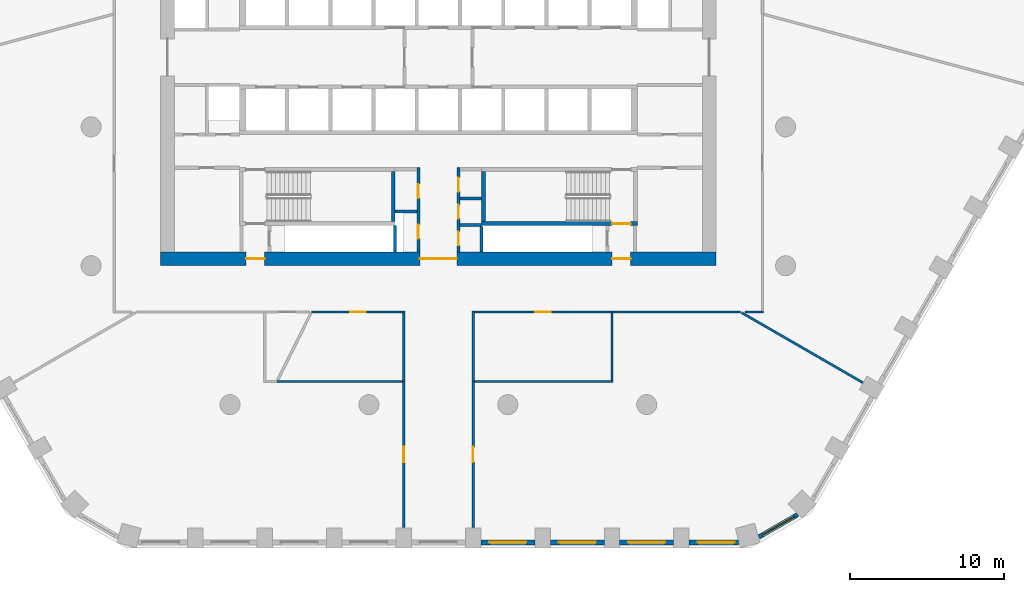
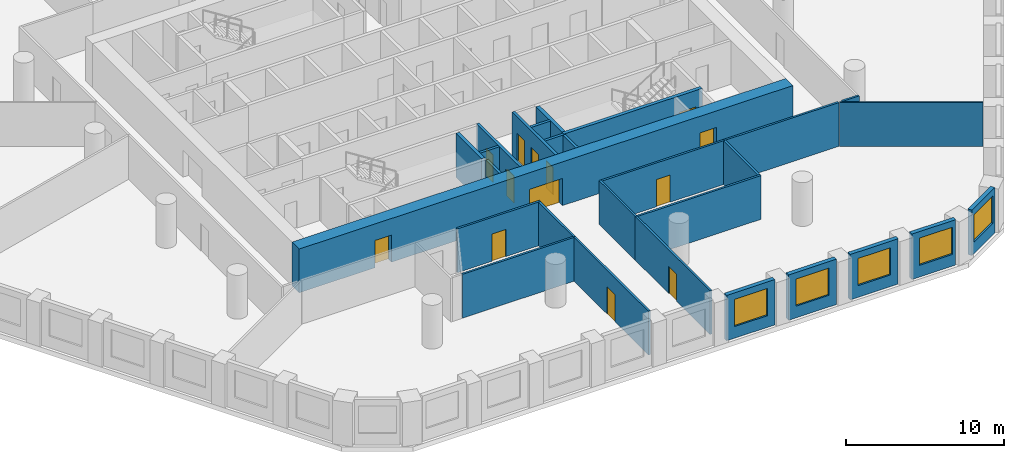
# One storey, part 3 of 9: 28 walls, 13 doors, 5 windows, 18 openings.
"""IFC4 building model written with IfcOpenShell, lengths in metres."""

import ifcopenshell
import ifcopenshell.guid

model = None  # the IFC model being written
_history = None  # IfcOwnerHistory: only IFC2X3 demands one
_inside = {}  # id of a spatial element -> (the spatial element, [elements in it])
_under = {}  # id of a project, library or spatial element -> (it, [spatial elements below it])
_declared = {}  # id of a project -> (the project, [libraries it declares])
_typed = {}  # id of a type object -> (the type object, [elements of that type])
_made_of = {}  # id of a material, layer set ... -> (it, [elements and type objects made of it])


def new_model(schema):
    """Start an empty IFC model of exactly this schema.

    Asked for "IFC4X3", IfcOpenShell would pick the latest addendum, in which some entities
    have other attributes; the version numbers below select the first issue.
    IFC2X3 requires an IfcOwnerHistory on every rooted entity: one is made here for all.
    """
    global model, _history
    if schema == "IFC4X3":
        model = ifcopenshell.file(schema_version=(4, 3, 0, 0))
    else:
        model = ifcopenshell.file(schema=schema)
    _inside.clear()
    _under.clear()
    _declared.clear()
    _typed.clear()
    _made_of.clear()
    _history = None
    if model.schema == "IFC2X3":
        org = make("IfcOrganization", Name="unknown")
        user = make(
            "IfcPersonAndOrganization",
            ThePerson=make("IfcPerson", FamilyName="unknown"),
            TheOrganization=org,
        )
        app = make(
            "IfcApplication",
            ApplicationDeveloper=org,
            Version="unknown",
            ApplicationFullName="unknown",
            ApplicationIdentifier="unknown",
        )
        _history = make(
            "IfcOwnerHistory",
            OwningUser=user,
            OwningApplication=app,
            ChangeAction="ADDED",
            CreationDate=0,
        )
    return model


def make(cls, **values):
    """One entity of the class cls with the attributes given. An attribute that is None is left unset."""
    return model.create_entity(
        cls, **{name: value for name, value in values.items() if value is not None}
    )


def rooted(cls, **values):
    """An entity with a GlobalId (a new one), such as an element, a storey or a relation."""
    return make(cls, GlobalId=ifcopenshell.guid.new(), OwnerHistory=_history, **values)


def si_unit(unit_type, name, prefix=None):
    """IfcSIUnit, for example si_unit("LENGTHUNIT", "METRE", prefix="MILLI")."""
    return make("IfcSIUnit", UnitType=unit_type, Prefix=prefix, Name=name)


def assignment(units):
    """IfcUnitAssignment: the units of a project."""
    return None if units is None else make("IfcUnitAssignment", Units=units)


def point(xyz):
    """IfcCartesianPoint."""
    return None if xyz is None else make("IfcCartesianPoint", Coordinates=xyz)


def direction(xyz):
    """IfcDirection."""
    return None if xyz is None else make("IfcDirection", DirectionRatios=xyz)


def frame(location, z_axis=None, x_axis=None):
    """IfcAxis2Placement3D, a coordinate frame: its origin and axes. An axis left out is left unset."""
    return make(
        "IfcAxis2Placement3D",
        Location=point(location),
        Axis=direction(z_axis),
        RefDirection=direction(x_axis),
    )


def frame_2d(location, x_axis=None):
    """IfcAxis2Placement2D, a coordinate frame in the plane: its origin and x axis."""
    return make(
        "IfcAxis2Placement2D", Location=point(location), RefDirection=direction(x_axis)
    )


def origin():
    """The frame at (0, 0, 0) with its axes left unset."""
    return frame((0.0, 0.0, 0.0))


def place(relative_to, where):
    """IfcLocalPlacement: puts the frame where relative to a parent placement (None: the world)."""
    return make(
        "IfcLocalPlacement", PlacementRelTo=relative_to, RelativePlacement=where
    )


def context(
    kind, dimensions, precision=None, world=None, true_north=None, identifier=None
):
    """IfcGeometricRepresentationContext, for example the 3D "Model" context."""
    return make(
        "IfcGeometricRepresentationContext",
        ContextIdentifier=identifier,
        ContextType=kind,
        CoordinateSpaceDimension=dimensions,
        Precision=precision,
        WorldCoordinateSystem=world,
        TrueNorth=true_north,
    )


def subcontext(parent, identifier, kind, view, scale=None):
    """IfcGeometricRepresentationSubContext, for example "Body" below "Model"."""
    return make(
        "IfcGeometricRepresentationSubContext",
        ContextIdentifier=identifier,
        ContextType=kind,
        ParentContext=parent,
        TargetScale=scale,
        TargetView=view,
    )


def project(units=None, contexts=None):
    """IfcProject with its units and contexts."""
    return rooted(
        "IfcProject",
        Name="project",
        RepresentationContexts=contexts,
        UnitsInContext=assignment(units),
    )


def spatial(cls, under=None, at=None, **own):
    """A site, building, storey or space (cls), placed at a placement, below another one or the project."""
    s = rooted(cls, ObjectPlacement=at, **own)
    if under is not None:
        _under.setdefault(under.id(), (under, []))[1].append(s)
    return s


def profile(cls, at=None, kind="AREA", **sizes):
    """A parametric profile (cls). Its sizes go by their IFC names, for example OverallWidth=200.0."""
    return make(cls, ProfileType=kind, Position=at, **sizes)


def rectangle(**sizes):
    """IfcRectangleProfileDef."""
    return profile("IfcRectangleProfileDef", **sizes)


def extrude(swept, where, along, depth):
    """IfcExtrudedAreaSolid: the profile swept, set in the frame where, extruded along a direction by depth."""
    return make(
        "IfcExtrudedAreaSolid",
        SweptArea=swept,
        Position=where,
        ExtrudedDirection=direction(along),
        Depth=depth,
    )


def shape(context_of_items, identifier, shape_type, items):
    """IfcShapeRepresentation: the items that make up one representation, for example the "Body"."""
    return make(
        "IfcShapeRepresentation",
        ContextOfItems=context_of_items,
        RepresentationIdentifier=identifier,
        RepresentationType=shape_type,
        Items=items,
    )


def material(Name=None, Category=None):
    """IfcMaterial."""
    return make("IfcMaterial", Name=Name, Category=Category)


def layer(
    of_material, thickness, ventilated=None, Name=None, Category=None, Priority=None
):
    """IfcMaterialLayer: one layer of a wall or slab, of a material (None: an air gap)."""
    return make(
        "IfcMaterialLayer",
        Material=of_material,
        LayerThickness=thickness,
        IsVentilated=ventilated,
        Name=Name,
        Category=Category,
        Priority=Priority,
    )


def layer_set(layers, Name=None):
    """IfcMaterialLayerSet."""
    return make("IfcMaterialLayerSet", MaterialLayers=layers, LayerSetName=Name)


def made_of(thing, what):
    """Note that an element or type object is made of a material, layer set ...; save() writes the relation."""
    if what is not None:
        _made_of.setdefault(what.id(), (what, []))[1].append(thing)
    return thing


def type_object(cls, material=None, **own):
    """A type object (cls), such as IfcWallType, which elements share."""
    return made_of(rooted(cls, **own), material)


def element(
    cls,
    number,
    at=None,
    inside=None,
    cuts=None,
    type_object=None,
    material=None,
    context=None,
    identifier="Body",
    shape_type=None,
    held_by="IfcProductDefinitionShape",
    body=None,
    shapes=None,
    **own,
):
    """One element of the class cls, such as IfcWall. Its Tag is "e" and its number.

    at: its placement. inside: the storey or other place that contains it. cuts: it is an
    opening in that element (IfcRelVoidsElement). A single representation is given by context,
    identifier, shape_type and body (its items); several are given by shapes. held_by: the class
    of the entity that holds the representations. save() writes the other relations.
    """
    e = rooted(cls, Tag="e%d" % number, ObjectPlacement=at, **own)
    if body is not None:
        shapes = [shape(context, identifier, shape_type, body)]
    if shapes is not None:
        e.Representation = make(held_by, Representations=shapes)
    if inside is not None:
        _inside.setdefault(inside.id(), (inside, []))[1].append(e)
    if cuts is not None:
        rooted(
            "IfcRelVoidsElement", RelatingBuildingElement=cuts, RelatedOpeningElement=e
        )
    if type_object is not None:
        _typed.setdefault(type_object.id(), (type_object, []))[1].append(e)
    return made_of(e, material)


def fill(opening, filler):
    """IfcRelFillsElement: the door or window that sits in an opening."""
    return rooted(
        "IfcRelFillsElement",
        RelatingOpeningElement=opening,
        RelatedBuildingElement=filler,
    )


def aggregate(whole, parts):
    """IfcRelAggregates: a whole, such as a stair, and the parts it consists of."""
    return rooted("IfcRelAggregates", RelatingObject=whole, RelatedObjects=parts)


def save(model, path):
    """Write the relations noted so far, then the file.

    IfcRelAggregates (storeys below a building ...), IfcRelContainedInSpatialStructure (elements
    in a storey), IfcRelDefinesByType, IfcRelAssociatesMaterial and IfcRelDeclares: one each for
    every whole, place, type object, material and project.
    """
    for whole, parts in _under.values():
        aggregate(whole, parts)
    for where, things in _inside.values():
        rooted(
            "IfcRelContainedInSpatialStructure",
            RelatedElements=things,
            RelatingStructure=where,
        )
    for kind, things in _typed.values():
        rooted("IfcRelDefinesByType", RelatedObjects=things, RelatingType=kind)
    for what, things in _made_of.values():
        rooted("IfcRelAssociatesMaterial", RelatedObjects=things, RelatingMaterial=what)
    for by, libraries in _declared.values():
        rooted("IfcRelDeclares", RelatingContext=by, RelatedDefinitions=libraries)
    model.write(path)


model = new_model("IFC4")

# Units and contexts
model_context = context("Model", 3, precision=1e-05, world=origin(), true_north=direction((0.0, 1.0)))
body_context = subcontext(model_context, "Body", "Model", "MODEL_VIEW")
ifc_project = project(units=[si_unit("LENGTHUNIT", "METRE"), si_unit("AREAUNIT", "SQUARE_METRE"), si_unit("VOLUMEUNIT", "CUBIC_METRE"), si_unit("PLANEANGLEUNIT", "RADIAN"), si_unit("MASSUNIT", "GRAM", prefix="KILO")], contexts=[model_context])

# Site, building, storey
site_placement = place(None, origin())
site = spatial("IfcSite", under=ifc_project, at=site_placement, CompositionType="ELEMENT")
building_placement = place(site_placement, origin())
building = spatial("IfcBuilding", under=site, at=building_placement, Name="Dhurran Vertical Campus", CompositionType="ELEMENT")
storey_placement = place(building_placement, frame((0.0, 0.0, 124.199951171875)))
storey = spatial("IfcBuildingStorey", under=building, at=storey_placement, Name="L30", CompositionType="ELEMENT", Elevation=124.199951171875)

# Wall, opening, window
ifc_material_1 = material(Name="Precast concrete C50/60", Category="concrete")
ifc_layer_1 = layer(ifc_material_1, 0.300048828125)
ifc_layer_set_1 = layer_set([ifc_layer_1], Name="Precast concrete C50/60")
wall_type_1 = type_object("IfcWallType", Name="Precast spandrel wall 300", PredefinedType="SOLIDWALL", material=ifc_layer_set_1)
wall_1_placement = place(storey_placement, frame((2.75048828125, -31.4296875, 0.0), z_axis=(0.0, 0.0, 1.0), x_axis=(1.0, 0.0, 0.0)))
wall_1 = element("IfcWall", 1, at=wall_1_placement, inside=storey, type_object=wall_type_1, Name="EW1 L30.05", PredefinedType="SOLIDWALL", context=body_context, shape_type="SweptSolid", body=[
    extrude(rectangle(XDim=3.4990234375, YDim=0.300048828125, at=frame_2d((1.74951171875, 0.0))), origin(), (0.0, 0.0, 1.0), 3.5),
])
opening_1_placement = place(wall_1_placement, frame((0.549560546875, 0.0, 0.89990234375)))
opening_1 = element("IfcOpeningElement", 2, at=opening_1_placement, cuts=wall_1, Name="Opening WT1", PredefinedType="OPENING", context=body_context, shape_type="SweptSolid", body=[
    extrude(rectangle(XDim=2.39990234375, YDim=2.10009765625, at=frame_2d((1.199951171875, 1.050048828125))), frame((0.0, 0.159912109375, 0.0), z_axis=(0.0, -1.0, 0.0), x_axis=(1.0, 0.0, 0.0)), (0.0, 0.0, 1.0), 0.320068359375),
])
ifc_material_2 = material(Name="Aluminium frame with solar-control glass", Category="aluminium")
window_type = type_object("IfcWindowType", Name="Punched window 2400 x 2100", PartitioningType="SINGLE_PANEL", PredefinedType="WINDOW", material=ifc_material_2)
window_1_placement = place(opening_1_placement, origin())
window_1 = element("IfcWindow", 3, at=window_1_placement, inside=storey, type_object=window_type, Name="WT1 L30.05", OverallHeight=2.10009765625, OverallWidth=2.39990234375, PartitioningType="SINGLE_PANEL", PredefinedType="WINDOW", context=body_context, shape_type="SweptSolid", body=[
    extrude(rectangle(XDim=2.39990234375, YDim=2.10009765625, at=frame_2d((1.199951171875, 1.050048828125))), frame((0.0, 0.030029296875, 0.0), z_axis=(0.0, -1.0, 0.0), x_axis=(1.0, 0.0, 0.0)), (0.0, 0.0, 1.0), 0.06005859375),
])
fill(opening_1, window_1)

wall_2_placement = place(storey_placement, frame((7.25048828125, -31.4296875, 0.0), z_axis=(0.0, 0.0, 1.0), x_axis=(1.0, 0.0, 0.0)))
wall_2 = element("IfcWall", 4, at=wall_2_placement, inside=storey, type_object=wall_type_1, Name="EW1 L30.06", PredefinedType="SOLIDWALL", context=body_context, shape_type="SweptSolid", body=[
    extrude(rectangle(XDim=3.4990234375, YDim=0.300048828125, at=frame_2d((1.74951171875, 0.0))), origin(), (0.0, 0.0, 1.0), 3.5),
])
opening_2_placement = place(wall_2_placement, frame((0.549560546875, 0.0, 0.89990234375)))
opening_2 = element("IfcOpeningElement", 5, at=opening_2_placement, cuts=wall_2, Name="Opening WT1", PredefinedType="OPENING", context=body_context, shape_type="SweptSolid", body=[
    extrude(rectangle(XDim=2.39990234375, YDim=2.10009765625, at=frame_2d((1.199951171875, 1.050048828125))), frame((0.0, 0.159912109375, 0.0), z_axis=(0.0, -1.0, 0.0), x_axis=(1.0, 0.0, 0.0)), (0.0, 0.0, 1.0), 0.320068359375),
])
window_2_placement = place(opening_2_placement, origin())
window_2 = element("IfcWindow", 6, at=window_2_placement, inside=storey, type_object=window_type, Name="WT1 L30.06", OverallHeight=2.10009765625, OverallWidth=2.39990234375, PartitioningType="SINGLE_PANEL", PredefinedType="WINDOW", context=body_context, shape_type="SweptSolid", body=[
    extrude(rectangle(XDim=2.39990234375, YDim=2.10009765625, at=frame_2d((1.199951171875, 1.050048828125))), frame((0.0, 0.030029296875, 0.0), z_axis=(0.0, -1.0, 0.0), x_axis=(1.0, 0.0, 0.0)), (0.0, 0.0, 1.0), 0.06005859375),
])
fill(opening_2, window_2)

wall_3_placement = place(storey_placement, frame((11.75048828125, -31.4296875, 0.0), z_axis=(0.0, 0.0, 1.0), x_axis=(1.0, 0.0, 0.0)))
wall_3 = element("IfcWall", 7, at=wall_3_placement, inside=storey, type_object=wall_type_1, Name="EW1 L30.07", PredefinedType="SOLIDWALL", context=body_context, shape_type="SweptSolid", body=[
    extrude(rectangle(XDim=3.4990234375, YDim=0.300048828125, at=frame_2d((1.74951171875, 0.0))), origin(), (0.0, 0.0, 1.0), 3.5),
])
opening_3_placement = place(wall_3_placement, frame((0.549560546875, 0.0, 0.89990234375)))
opening_3 = element("IfcOpeningElement", 8, at=opening_3_placement, cuts=wall_3, Name="Opening WT1", PredefinedType="OPENING", context=body_context, shape_type="SweptSolid", body=[
    extrude(rectangle(XDim=2.39990234375, YDim=2.10009765625, at=frame_2d((1.199951171875, 1.050048828125))), frame((0.0, 0.159912109375, 0.0), z_axis=(0.0, -1.0, 0.0), x_axis=(1.0, 0.0, 0.0)), (0.0, 0.0, 1.0), 0.320068359375),
])
window_3_placement = place(opening_3_placement, origin())
window_3 = element("IfcWindow", 9, at=window_3_placement, inside=storey, type_object=window_type, Name="WT1 L30.07", OverallHeight=2.10009765625, OverallWidth=2.39990234375, PartitioningType="SINGLE_PANEL", PredefinedType="WINDOW", context=body_context, shape_type="SweptSolid", body=[
    extrude(rectangle(XDim=2.39990234375, YDim=2.10009765625, at=frame_2d((1.199951171875, 1.050048828125))), frame((0.0, 0.030029296875, 0.0), z_axis=(0.0, -1.0, 0.0), x_axis=(1.0, 0.0, 0.0)), (0.0, 0.0, 1.0), 0.06005859375),
])
fill(opening_3, window_3)

wall_4_placement = place(storey_placement, frame((16.25048828125, -31.4296875, 0.0), z_axis=(0.0, 0.0, 1.0), x_axis=(1.0, 0.0, 0.0)))
wall_4 = element("IfcWall", 10, at=wall_4_placement, inside=storey, type_object=wall_type_1, Name="EW1 L30.08", PredefinedType="SOLIDWALL", context=body_context, shape_type="SweptSolid", body=[
    extrude(rectangle(XDim=3.1923828125, YDim=0.300048828125, at=frame_2d((1.59619140625, 0.0))), origin(), (0.0, 0.0, 1.0), 3.5),
])
opening_4_placement = place(wall_4_placement, frame((0.549560546875, 0.0, 0.89990234375)))
opening_4 = element("IfcOpeningElement", 11, at=opening_4_placement, cuts=wall_4, Name="Opening WT1", PredefinedType="OPENING", context=body_context, shape_type="SweptSolid", body=[
    extrude(rectangle(XDim=2.39990234375, YDim=2.10009765625, at=frame_2d((1.199951171875, 1.050048828125))), frame((0.0, 0.159912109375, 0.0), z_axis=(0.0, -1.0, 0.0), x_axis=(1.0, 0.0, 0.0)), (0.0, 0.0, 1.0), 0.320068359375),
])
window_4_placement = place(opening_4_placement, origin())
window_4 = element("IfcWindow", 12, at=window_4_placement, inside=storey, type_object=window_type, Name="WT1 L30.08", OverallHeight=2.10009765625, OverallWidth=2.39990234375, PartitioningType="SINGLE_PANEL", PredefinedType="WINDOW", context=body_context, shape_type="SweptSolid", body=[
    extrude(rectangle(XDim=2.39990234375, YDim=2.10009765625, at=frame_2d((1.199951171875, 1.050048828125))), frame((0.0, 0.030029296875, 0.0), z_axis=(0.0, -1.0, 0.0), x_axis=(1.0, 0.0, 0.0)), (0.0, 0.0, 1.0), 0.06005859375),
])
fill(opening_4, window_4)

wall_5_placement = place(storey_placement, frame((20.774169921875, -31.072998046875, 0.0), z_axis=(0.0, 0.0, 1.0), x_axis=(0.866053149362, 0.49995194017, 0.0)))
wall_5 = element("IfcWall", 13, at=wall_5_placement, inside=storey, type_object=wall_type_1, Name="EW1 L30.09", PredefinedType="SOLIDWALL", context=body_context, shape_type="SweptSolid", body=[
    extrude(rectangle(XDim=2.885498046875, YDim=0.300048828125, at=frame_2d((1.44287109375, 0.0))), origin(), (0.0, 0.0, 1.0), 3.5),
])
opening_5_placement = place(wall_5_placement, frame((0.242919921875, 0.0, 0.89990234375)))
opening_5 = element("IfcOpeningElement", 14, at=opening_5_placement, cuts=wall_5, Name="Opening WT1", PredefinedType="OPENING", context=body_context, shape_type="SweptSolid", body=[
    extrude(rectangle(XDim=2.39990234375, YDim=2.10009765625, at=frame_2d((1.199951171875, 1.050048828125))), frame((0.0, 0.159912109375, 0.0), z_axis=(0.0, -1.0, 0.0), x_axis=(1.0, 0.0, 0.0)), (0.0, 0.0, 1.0), 0.320068359375),
])
window_5_placement = place(opening_5_placement, origin())
window_5 = element("IfcWindow", 15, at=window_5_placement, inside=storey, type_object=window_type, Name="WT1 L30.09", OverallHeight=2.10009765625, OverallWidth=2.39990234375, PartitioningType="SINGLE_PANEL", PredefinedType="WINDOW", context=body_context, shape_type="SweptSolid", body=[
    extrude(rectangle(XDim=2.39990234375, YDim=2.10009765625, at=frame_2d((1.199951171875, 1.050048828125))), frame((0.0, 0.030029296875, 0.0), z_axis=(0.0, -1.0, 0.0), x_axis=(1.0, 0.0, 0.0)), (0.0, 0.0, 1.0), 0.06005859375),
])
fill(opening_5, window_5)

# Wall, openings, doors
ifc_material_3 = material(Name="Concrete C60/75", Category="concrete")
ifc_layer_2 = layer(ifc_material_3, 0.89990234375)
ifc_layer_set_2 = layer_set([ifc_layer_2], Name="Concrete C60/75")
wall_type_2 = type_object("IfcWallType", Name="co-CORE-WALL-C0-900", PredefinedType="SHEAR", material=ifc_layer_set_2)
wall_6_placement = place(storey_placement, frame((-18.0, -13.050048828125, 0.0), z_axis=(0.0, 0.0, 1.0), x_axis=(1.0, 0.0, 0.0)))
wall_6 = element("IfcWall", 16, at=wall_6_placement, inside=storey, type_object=wall_type_2, Name="Core wall S L30", PredefinedType="SHEAR", context=body_context, shape_type="SweptSolid", body=[
    extrude(rectangle(XDim=36.0, YDim=0.89990234375, at=frame_2d((18.0, 0.0))), origin(), (0.0, 0.0, 1.0), 3.375),
])
opening_6_placement = place(wall_6_placement, frame((16.800048828125, 0.0, 0.0)))
opening_6 = element("IfcOpeningElement", 17, at=opening_6_placement, cuts=wall_6, Name="Opening CV2", PredefinedType="OPENING", context=body_context, shape_type="SweptSolid", body=[
    extrude(rectangle(XDim=2.39990234375, YDim=2.10009765625, at=frame_2d((1.199951171875, 1.050048828125))), frame((0.0, 0.4599609375, 0.0), z_axis=(0.0, -1.0, 0.0), x_axis=(1.0, 0.0, 0.0)), (0.0, 0.0, 1.0), 0.919921875),
])
opening_7_placement = place(wall_6_placement, frame((5.550048828125, 0.0, 0.0)))
opening_7 = element("IfcOpeningElement", 18, at=opening_7_placement, cuts=wall_6, Name="Opening XD3", PredefinedType="OPENING", context=body_context, shape_type="SweptSolid", body=[
    extrude(rectangle(XDim=1.199951171875, YDim=2.10009765625, at=frame_2d((0.60009765625, 1.050048828125))), frame((0.0, 0.4599609375, 0.0), z_axis=(0.0, -1.0, 0.0), x_axis=(1.0, 0.0, 0.0)), (0.0, 0.0, 1.0), 0.919921875),
])
opening_8_placement = place(wall_6_placement, frame((29.25, 0.0, 0.0)))
opening_8 = element("IfcOpeningElement", 19, at=opening_8_placement, cuts=wall_6, Name="Opening XD4", PredefinedType="OPENING", context=body_context, shape_type="SweptSolid", body=[
    extrude(rectangle(XDim=1.199951171875, YDim=2.10009765625, at=frame_2d((0.60009765625, 1.050048828125))), frame((0.0, 0.4599609375, 0.0), z_axis=(0.0, -1.0, 0.0), x_axis=(1.0, 0.0, 0.0)), (0.0, 0.0, 1.0), 0.919921875),
])
ifc_material_4 = material(Name="Fire-rated glazed door set")
door_type_1 = type_object("IfcDoorType", Name="co-D-LOBBY 2400x2100", OperationType="DOUBLE_DOOR_DOUBLE_SWING", PredefinedType="DOOR", material=ifc_material_4)
door_1_placement = place(opening_6_placement, origin())
door_1 = element("IfcDoor", 20, at=door_1_placement, inside=storey, type_object=door_type_1, Name="Core vestibule door S L30", OperationType="DOUBLE_DOOR_DOUBLE_SWING", OverallHeight=2.10009765625, OverallWidth=2.39990234375, PredefinedType="DOOR", context=body_context, shape_type="SweptSolid", body=[
    extrude(rectangle(XDim=2.39990234375, YDim=2.10009765625, at=frame_2d((1.199951171875, 1.050048828125))), frame((0.0, 0.02490234375, 0.0), z_axis=(0.0, -1.0, 0.0), x_axis=(1.0, 0.0, 0.0)), (0.0, 0.0, 1.0), 0.050048828125),
])
fill(opening_6, door_1)
ifc_material_5 = material(Name="Fire-rated steel door set", Category="steel")
door_type_2 = type_object("IfcDoorType", Name="co-D-STAIR-EXIT 1200x2100", OperationType="SINGLE_SWING_RIGHT", PredefinedType="DOOR", material=ifc_material_5)
door_2_placement = place(opening_7_placement, origin())
door_2 = element("IfcDoor", 21, at=door_2_placement, inside=storey, type_object=door_type_2, Name="Stair ST3 exit door L30", OperationType="SINGLE_SWING_RIGHT", OverallHeight=2.10009765625, OverallWidth=1.199951171875, PredefinedType="DOOR", context=body_context, shape_type="SweptSolid", body=[
    extrude(rectangle(XDim=1.199951171875, YDim=2.10009765625, at=frame_2d((0.60009765625, 1.050048828125))), frame((0.0, 0.02490234375, 0.0), z_axis=(0.0, -1.0, 0.0), x_axis=(1.0, 0.0, 0.0)), (0.0, 0.0, 1.0), 0.050048828125),
])
fill(opening_7, door_2)
door_3_placement = place(opening_8_placement, origin())
door_3 = element("IfcDoor", 22, at=door_3_placement, inside=storey, type_object=door_type_2, Name="Stair ST4 exit door L30", OperationType="SINGLE_SWING_RIGHT", OverallHeight=2.10009765625, OverallWidth=1.199951171875, PredefinedType="DOOR", context=body_context, shape_type="SweptSolid", body=[
    extrude(rectangle(XDim=1.199951171875, YDim=2.10009765625, at=frame_2d((0.60009765625, 1.050048828125))), frame((0.0, 0.02490234375, 0.0), z_axis=(0.0, -1.0, 0.0), x_axis=(1.0, 0.0, 0.0)), (0.0, 0.0, 1.0), 0.050048828125),
])
fill(opening_8, door_3)

# Walls
ifc_material_6 = material(Name="Fire-rated masonry blockwork", Category="masonry")
ifc_layer_3 = layer(ifc_material_6, 0.199951171875)
ifc_layer_set_3 = layer_set([ifc_layer_3], Name="Fire-rated masonry blockwork")
wall_type_3 = type_object("IfcWallType", Name="co-FIRE-PARTITION-200", PredefinedType="PARTITIONING", material=ifc_layer_set_3)
for number, where, z_axis, x_axis, name in (
    (23, (-2.800048828125, -9.97509765625, 0.0), (0.0, 0.0, 1.0), (1.0, 0.0, 0.0), "Core partition sl-SW-cut0 L30"),
    (24, (1.39990234375, -9.135009765625, 0.0), (0.0, 0.0, 1.0), (1.0, 0.0, 0.0), "Core partition sl-SE-cut0 L30"),
    (25, (1.39990234375, -10.867431640625, 0.0), (0.0, 0.0, 1.0), (1.0, 0.0, 0.0), "Core partition sl-SE-cut1 L30"),
):
    element("IfcWall", number, at=place(storey_placement, frame(where, z_axis=z_axis, x_axis=x_axis)), inside=storey, type_object=wall_type_3, Name=name, PredefinedType="PARTITIONING", context=body_context, shape_type="SweptSolid", body=[
        extrude(rectangle(XDim=1.400146484375, YDim=0.199951171875, at=frame_2d((0.7001953125, 0.0))), origin(), (0.0, 0.0, 1.0), 3.375),
    ])

# Wall, openings, doors
wall_7_placement = place(storey_placement, frame((-1.300048828125, -12.60009765625, 0.0), z_axis=(0.0, 0.0, 1.0), x_axis=(0.0, 1.0, 0.0)))
wall_7 = element("IfcWall", 26, at=wall_7_placement, inside=storey, type_object=wall_type_3, Name="Core partition vest-SW L30", PredefinedType="PARTITIONING", context=body_context, shape_type="SweptSolid", body=[
    extrude(rectangle(XDim=5.4501953125, YDim=0.199951171875, at=frame_2d((2.72509765625, 0.0))), origin(), (0.0, 0.0, 1.0), 3.375),
])
opening_9_placement = place(wall_7_placement, frame((0.862548828125, 0.0, 0.0)))
opening_9 = element("IfcOpeningElement", 27, at=opening_9_placement, cuts=wall_7, Name="Opening T08-C1", PredefinedType="OPENING", context=body_context, shape_type="SweptSolid", body=[
    extrude(rectangle(XDim=0.89990234375, YDim=2.10009765625, at=frame_2d((0.449951171875, 1.050048828125))), frame((0.0, 0.10986328125, 0.0), z_axis=(0.0, -1.0, 0.0), x_axis=(1.0, 0.0, 0.0)), (0.0, 0.0, 1.0), 0.219970703125),
])
opening_10_placement = place(wall_7_placement, frame((3.487548828125, 0.0, 0.0)))
opening_10 = element("IfcOpeningElement", 28, at=opening_10_placement, cuts=wall_7, Name="Opening T08-C2", PredefinedType="OPENING", context=body_context, shape_type="SweptSolid", body=[
    extrude(rectangle(XDim=0.89990234375, YDim=2.10009765625, at=frame_2d((0.449951171875, 1.050048828125))), frame((0.0, 0.10986328125, 0.0), z_axis=(0.0, -1.0, 0.0), x_axis=(1.0, 0.0, 0.0)), (0.0, 0.0, 1.0), 0.219970703125),
])
ifc_material_7 = material(Name="Fire-rated timber door set", Category="wood")
door_type_3 = type_object("IfcDoorType", Name="co-D-ROOM 900x2100", OperationType="SINGLE_SWING_LEFT", PredefinedType="DOOR", material=ifc_material_7)
door_4_placement = place(opening_9_placement, origin())
door_4 = element("IfcDoor", 29, at=door_4_placement, inside=storey, type_object=door_type_3, Name="Electrical riser door L30", OperationType="SINGLE_SWING_LEFT", OverallHeight=2.10009765625, OverallWidth=0.89990234375, PredefinedType="DOOR", context=body_context, shape_type="SweptSolid", body=[
    extrude(rectangle(XDim=0.89990234375, YDim=2.10009765625, at=frame_2d((0.449951171875, 1.050048828125))), frame((0.0, 0.02490234375, 0.0), z_axis=(0.0, -1.0, 0.0), x_axis=(1.0, 0.0, 0.0)), (0.0, 0.0, 1.0), 0.050048828125),
])
fill(opening_9, door_4)
door_5_placement = place(opening_10_placement, origin())
door_5 = element("IfcDoor", 30, at=door_5_placement, inside=storey, type_object=door_type_3, Name="Cleaner's store door L30", OperationType="SINGLE_SWING_LEFT", OverallHeight=2.10009765625, OverallWidth=0.89990234375, PredefinedType="DOOR", context=body_context, shape_type="SweptSolid", body=[
    extrude(rectangle(XDim=0.89990234375, YDim=2.10009765625, at=frame_2d((0.449951171875, 1.050048828125))), frame((0.0, 0.02490234375, 0.0), z_axis=(0.0, -1.0, 0.0), x_axis=(1.0, 0.0, 0.0)), (0.0, 0.0, 1.0), 0.050048828125),
])
fill(opening_10, door_5)

wall_8_placement = place(storey_placement, frame((1.300048828125, -12.60009765625, 0.0), z_axis=(0.0, 0.0, 1.0), x_axis=(0.0, 1.0, 0.0)))
wall_8 = element("IfcWall", 31, at=wall_8_placement, inside=storey, type_object=wall_type_3, Name="Core partition vest-SE L30", PredefinedType="PARTITIONING", context=body_context, shape_type="SweptSolid", body=[
    extrude(rectangle(XDim=5.4501953125, YDim=0.199951171875, at=frame_2d((2.72509765625, 0.0))), origin(), (0.0, 0.0, 1.0), 3.375),
])
opening_11_placement = place(wall_8_placement, frame((0.416259765625, 0.0, 0.0)))
opening_11 = element("IfcOpeningElement", 32, at=opening_11_placement, cuts=wall_8, Name="Opening T08-C3", PredefinedType="OPENING", context=body_context, shape_type="SweptSolid", body=[
    extrude(rectangle(XDim=0.89990234375, YDim=2.10009765625, at=frame_2d((0.449951171875, 1.050048828125))), frame((0.0, 0.10986328125, 0.0), z_axis=(0.0, -1.0, 0.0), x_axis=(1.0, 0.0, 0.0)), (0.0, 0.0, 1.0), 0.219970703125),
])
opening_12_placement = place(wall_8_placement, frame((2.148681640625, 0.0, 0.0)))
opening_12 = element("IfcOpeningElement", 33, at=opening_12_placement, cuts=wall_8, Name="Opening T08-C4", PredefinedType="OPENING", context=body_context, shape_type="SweptSolid", body=[
    extrude(rectangle(XDim=0.89990234375, YDim=2.10009765625, at=frame_2d((0.449951171875, 1.050048828125))), frame((0.0, 0.10986328125, 0.0), z_axis=(0.0, -1.0, 0.0), x_axis=(1.0, 0.0, 0.0)), (0.0, 0.0, 1.0), 0.219970703125),
])
opening_13_placement = place(wall_8_placement, frame((3.907470703125, 0.0, 0.0)))
opening_13 = element("IfcOpeningElement", 34, at=opening_13_placement, cuts=wall_8, Name="Opening T08-C5", PredefinedType="OPENING", context=body_context, shape_type="SweptSolid", body=[
    extrude(rectangle(XDim=0.89990234375, YDim=2.10009765625, at=frame_2d((0.449951171875, 1.050048828125))), frame((0.0, 0.10986328125, 0.0), z_axis=(0.0, -1.0, 0.0), x_axis=(1.0, 0.0, 0.0)), (0.0, 0.0, 1.0), 0.219970703125),
])
door_6_placement = place(opening_11_placement, origin())
door_6 = element("IfcDoor", 35, at=door_6_placement, inside=storey, type_object=door_type_3, Name="Plant room door L30", OperationType="SINGLE_SWING_LEFT", OverallHeight=2.10009765625, OverallWidth=0.89990234375, PredefinedType="DOOR", context=body_context, shape_type="SweptSolid", body=[
    extrude(rectangle(XDim=0.89990234375, YDim=2.10009765625, at=frame_2d((0.449951171875, 1.050048828125))), frame((0.0, 0.02490234375, 0.0), z_axis=(0.0, -1.0, 0.0), x_axis=(1.0, 0.0, 0.0)), (0.0, 0.0, 1.0), 0.050048828125),
])
fill(opening_11, door_6)
door_7_placement = place(opening_12_placement, origin())
door_7 = element("IfcDoor", 36, at=door_7_placement, inside=storey, type_object=door_type_3, Name="Waste room door L30", OperationType="SINGLE_SWING_LEFT", OverallHeight=2.10009765625, OverallWidth=0.89990234375, PredefinedType="DOOR", context=body_context, shape_type="SweptSolid", body=[
    extrude(rectangle(XDim=0.89990234375, YDim=2.10009765625, at=frame_2d((0.449951171875, 1.050048828125))), frame((0.0, 0.02490234375, 0.0), z_axis=(0.0, -1.0, 0.0), x_axis=(1.0, 0.0, 0.0)), (0.0, 0.0, 1.0), 0.050048828125),
])
fill(opening_12, door_7)
door_8_placement = place(opening_13_placement, origin())
door_8 = element("IfcDoor", 37, at=door_8_placement, inside=storey, type_object=door_type_3, Name="Store door L30", OperationType="SINGLE_SWING_LEFT", OverallHeight=2.10009765625, OverallWidth=0.89990234375, PredefinedType="DOOR", context=body_context, shape_type="SweptSolid", body=[
    extrude(rectangle(XDim=0.89990234375, YDim=2.10009765625, at=frame_2d((0.449951171875, 1.050048828125))), frame((0.0, 0.02490234375, 0.0), z_axis=(0.0, -1.0, 0.0), x_axis=(1.0, 0.0, 0.0)), (0.0, 0.0, 1.0), 0.050048828125),
])
fill(opening_13, door_8)

# Walls
wall_9_placement = place(storey_placement, frame((-2.800048828125, -12.59912109375, 0.0), z_axis=(0.0, 0.0, 1.0), x_axis=(0.0, 1.0, 0.0)))
element("IfcWall", 38, at=wall_9_placement, inside=storey, type_object=wall_type_3, Name="Riser enclosure wall L30", PredefinedType="PARTITIONING", context=body_context, shape_type="SweptSolid", body=[
    extrude(rectangle(XDim=1.6982421875, YDim=0.199951171875, at=frame_2d((0.84912109375, 0.0))), origin(), (0.0, 0.0, 1.0), 3.375),
])
wall_10_placement = place(storey_placement, frame((2.800048828125, -10.968505859375, 0.0), z_axis=(0.0, 0.0, 1.0), x_axis=(0.0, -1.0, 0.0)))
element("IfcWall", 39, at=wall_10_placement, inside=storey, type_object=wall_type_3, Name="Riser enclosure wall L30", PredefinedType="PARTITIONING", context=body_context, shape_type="SweptSolid", body=[
    extrude(rectangle(XDim=1.630615234375, YDim=0.199951171875, at=frame_2d((0.8154296875, 0.0))), origin(), (0.0, 0.0, 1.0), 3.375),
])
ifc_material_8 = material(Name="Concrete C40/50", Category="concrete")
ifc_layer_4 = layer(ifc_material_8, 0.25)
ifc_layer_set_4 = layer_set([ifc_layer_4], Name="Concrete C40/50")
wall_type_4 = type_object("IfcWallType", Name="co-STAIR-WALL-250", PredefinedType="SHEAR", material=ifc_layer_set_4)
wall_11_placement = place(storey_placement, frame((-2.925048828125, -10.64990234375, 0.0), z_axis=(0.0, 0.0, 1.0), x_axis=(0.0, 1.0, 0.0)))
element("IfcWall", 40, at=wall_11_placement, inside=storey, type_object=wall_type_4, Name="Stair ST3 enclosure wall L30", PredefinedType="SHEAR", context=body_context, shape_type="SweptSolid", body=[
    extrude(rectangle(XDim=3.25, YDim=0.25, at=frame_2d((1.625, 0.0))), origin(), (0.0, 0.0, 1.0), 3.375),
])

# Wall, opening, door
wall_12_placement = place(storey_placement, frame((2.800048828125, -10.77490234375, 0.0), z_axis=(0.0, 0.0, 1.0), x_axis=(1.0, 0.0, 0.0)))
wall_12 = element("IfcWall", 41, at=wall_12_placement, inside=storey, type_object=wall_type_4, Name="Stair ST4 enclosure wall L30", PredefinedType="SHEAR", context=body_context, shape_type="SweptSolid", body=[
    extrude(rectangle(XDim=10.099853515625, YDim=0.25, at=frame_2d((5.0498046875, 0.0))), origin(), (0.0, 0.0, 1.0), 3.375),
])
opening_14_placement = place(wall_12_placement, frame((8.449951171875, 0.0, 0.0)))
opening_14 = element("IfcOpeningElement", 42, at=opening_14_placement, cuts=wall_12, Name="Opening XS4", PredefinedType="OPENING", context=body_context, shape_type="SweptSolid", body=[
    extrude(rectangle(XDim=1.199951171875, YDim=2.10009765625, at=frame_2d((0.60009765625, 1.050048828125))), frame((0.0, 0.135009765625, 0.0), z_axis=(0.0, -1.0, 0.0), x_axis=(1.0, 0.0, 0.0)), (0.0, 0.0, 1.0), 0.27001953125),
])
door_9_placement = place(opening_14_placement, origin())
door_9 = element("IfcDoor", 43, at=door_9_placement, inside=storey, type_object=door_type_2, Name="Stair ST4 discharge door L30", OperationType="SINGLE_SWING_RIGHT", OverallHeight=2.10009765625, OverallWidth=1.199951171875, PredefinedType="DOOR", context=body_context, shape_type="SweptSolid", body=[
    extrude(rectangle(XDim=1.199951171875, YDim=2.10009765625, at=frame_2d((0.60009765625, 1.050048828125))), frame((0.0, 0.02490234375, 0.0), z_axis=(0.0, -1.0, 0.0), x_axis=(1.0, 0.0, 0.0)), (0.0, 0.0, 1.0), 0.050048828125),
])
fill(opening_14, door_9)

# Wall
wall_13_placement = place(storey_placement, frame((2.925048828125, -10.64990234375, 0.0), z_axis=(0.0, 0.0, 1.0), x_axis=(0.0, 1.0, 0.0)))
element("IfcWall", 44, at=wall_13_placement, inside=storey, type_object=wall_type_4, Name="Stair ST4 enclosure wall L30", PredefinedType="SHEAR", context=body_context, shape_type="SweptSolid", body=[
    extrude(rectangle(XDim=3.25, YDim=0.25, at=frame_2d((1.625, 0.0))), origin(), (0.0, 0.0, 1.0), 3.375),
])

# Wall, opening, door
ifc_material_9 = material(Name="Gypsum board corridor wall on steel studs", Category="steel")
ifc_layer_5 = layer(ifc_material_9, 0.14990234375)
ifc_layer_set_5 = layer_set([ifc_layer_5], Name="Gypsum board corridor wall on steel studs")
wall_type_5 = type_object("IfcWallType", Name="fl-CW-150 corridor wall", PredefinedType="PARTITIONING", material=ifc_layer_set_5)
wall_14_placement = place(storey_placement, frame((-8.218017578125, -16.5, 0.0), z_axis=(0.0, 0.0, 1.0), x_axis=(1.0, 0.0, 0.0)))
wall_14 = element("IfcWall", 45, at=wall_14_placement, inside=storey, type_object=wall_type_5, Name="Partition 30-17", PredefinedType="PARTITIONING", context=body_context, shape_type="SweptSolid", body=[
    extrude(rectangle(XDim=6.04296875, YDim=0.14990234375, at=frame_2d((3.021484375, 0.0))), origin(), (0.0, 0.0, 1.0), 3.375),
])
opening_15_placement = place(wall_14_placement, frame((2.521484375, 0.0, 0.0)))
opening_15 = element("IfcOpeningElement", 46, at=opening_15_placement, cuts=wall_14, Name="Opening T08.07", PredefinedType="OPENING", context=body_context, shape_type="SweptSolid", body=[
    extrude(rectangle(XDim=1.0, YDim=2.10009765625, at=frame_2d((0.5, 1.050048828125))), frame((0.0, 0.0849609375, 0.0), z_axis=(0.0, -1.0, 0.0), x_axis=(1.0, 0.0, 0.0)), (0.0, 0.0, 1.0), 0.169921875),
])
ifc_material_10 = material(Name="Solid-core timber door set, fire-rated", Category="wood")
door_type_4 = type_object("IfcDoorType", Name="fl-D-1000x2100", OperationType="SINGLE_SWING_LEFT", PredefinedType="DOOR", material=ifc_material_10)
door_10_placement = place(opening_15_placement, origin())
door_10 = element("IfcDoor", 47, at=door_10_placement, inside=storey, type_object=door_type_4, Name="Door 30.07", OperationType="SINGLE_SWING_RIGHT", OverallHeight=2.10009765625, OverallWidth=1.0, PredefinedType="DOOR", context=body_context, shape_type="SweptSolid", body=[
    extrude(rectangle(XDim=1.0, YDim=2.10009765625, at=frame_2d((0.5, 1.050048828125))), frame((0.0, 0.02490234375, 0.0), z_axis=(0.0, -1.0, 0.0), x_axis=(1.0, 0.0, 0.0)), (0.0, 0.0, 1.0), 0.050048828125),
])
fill(opening_15, door_10)

wall_15_placement = place(storey_placement, frame((-2.25, -30.459716796875, 0.0), z_axis=(0.0, 0.0, 1.0), x_axis=(0.0, 1.0, 0.0)))
wall_15 = element("IfcWall", 48, at=wall_15_placement, inside=storey, type_object=wall_type_5, Name="Partition 30-18", PredefinedType="PARTITIONING", context=body_context, shape_type="SweptSolid", body=[
    extrude(rectangle(XDim=9.459716796875, YDim=0.14990234375, at=frame_2d((4.72998046875, 0.0))), origin(), (0.0, 0.0, 1.0), 3.375),
])
opening_16_placement = place(wall_15_placement, frame((4.22998046875, 0.0, 0.0)))
opening_16 = element("IfcOpeningElement", 49, at=opening_16_placement, cuts=wall_15, Name="Opening T08.04", PredefinedType="OPENING", context=body_context, shape_type="SweptSolid", body=[
    extrude(rectangle(XDim=1.0, YDim=2.10009765625, at=frame_2d((0.5, 1.050048828125))), frame((0.0, 0.0849609375, 0.0), z_axis=(0.0, -1.0, 0.0), x_axis=(1.0, 0.0, 0.0)), (0.0, 0.0, 1.0), 0.169921875),
])
door_11_placement = place(opening_16_placement, origin())
door_11 = element("IfcDoor", 50, at=door_11_placement, inside=storey, type_object=door_type_4, Name="Door 30.04", OperationType="SINGLE_SWING_LEFT", OverallHeight=2.10009765625, OverallWidth=1.0, PredefinedType="DOOR", context=body_context, shape_type="SweptSolid", body=[
    extrude(rectangle(XDim=1.0, YDim=2.10009765625, at=frame_2d((0.5, 1.050048828125))), frame((0.0, 0.02490234375, 0.0), z_axis=(0.0, -1.0, 0.0), x_axis=(1.0, 0.0, 0.0)), (0.0, 0.0, 1.0), 0.050048828125),
])
fill(opening_16, door_11)

# Wall
wall_16_placement = place(storey_placement, frame((-2.25, -21.0, 0.0), z_axis=(0.0, 0.0, 1.0), x_axis=(0.0, 1.0, 0.0)))
element("IfcWall", 51, at=wall_16_placement, inside=storey, type_object=wall_type_5, Name="Partition 30-19", PredefinedType="PARTITIONING", context=body_context, shape_type="SweptSolid", body=[
    extrude(rectangle(XDim=4.425048828125, YDim=0.14990234375, at=frame_2d((2.21240234375, 0.0))), origin(), (0.0, 0.0, 1.0), 3.375),
])

# Wall, opening, door
wall_17_placement = place(storey_placement, frame((2.25, -21.0, 0.0), z_axis=(0.0, 0.0, 1.0), x_axis=(0.0, -1.0, 0.0)))
wall_17 = element("IfcWall", 52, at=wall_17_placement, inside=storey, type_object=wall_type_5, Name="Partition 30-22", PredefinedType="PARTITIONING", context=body_context, shape_type="SweptSolid", body=[
    extrude(rectangle(XDim=9.459716796875, YDim=0.14990234375, at=frame_2d((4.72998046875, 0.0))), origin(), (0.0, 0.0, 1.0), 3.375),
])
opening_17_placement = place(wall_17_placement, frame((4.22998046875, 0.0, 0.0)))
opening_17 = element("IfcOpeningElement", 53, at=opening_17_placement, cuts=wall_17, Name="Opening T08.10", PredefinedType="OPENING", context=body_context, shape_type="SweptSolid", body=[
    extrude(rectangle(XDim=1.0, YDim=2.10009765625, at=frame_2d((0.5, 1.050048828125))), frame((0.0, 0.0849609375, 0.0), z_axis=(0.0, -1.0, 0.0), x_axis=(1.0, 0.0, 0.0)), (0.0, 0.0, 1.0), 0.169921875),
])
door_12_placement = place(opening_17_placement, origin())
door_12 = element("IfcDoor", 54, at=door_12_placement, inside=storey, type_object=door_type_4, Name="Door 30.10", OperationType="SINGLE_SWING_RIGHT", OverallHeight=2.10009765625, OverallWidth=1.0, PredefinedType="DOOR", context=body_context, shape_type="SweptSolid", body=[
    extrude(rectangle(XDim=1.0, YDim=2.10009765625, at=frame_2d((0.5, 1.050048828125))), frame((0.0, 0.02490234375, 0.0), z_axis=(0.0, -1.0, 0.0), x_axis=(1.0, 0.0, 0.0)), (0.0, 0.0, 1.0), 0.050048828125),
])
fill(opening_17, door_12)

# Wall
wall_18_placement = place(storey_placement, frame((2.25, -16.425048828125, 0.0), z_axis=(0.0, 0.0, 1.0), x_axis=(0.0, -1.0, 0.0)))
element("IfcWall", 55, at=wall_18_placement, inside=storey, type_object=wall_type_5, Name="Partition 30-23", PredefinedType="PARTITIONING", context=body_context, shape_type="SweptSolid", body=[
    extrude(rectangle(XDim=4.574951171875, YDim=0.14990234375, at=frame_2d((2.28759765625, 0.0))), origin(), (0.0, 0.0, 1.0), 3.375),
])

# Wall, opening, door
wall_19_placement = place(storey_placement, frame((2.324951171875, -16.5, 0.0), z_axis=(0.0, 0.0, 1.0), x_axis=(1.0, 0.0, 0.0)))
wall_19 = element("IfcWall", 56, at=wall_19_placement, inside=storey, type_object=wall_type_5, Name="Partition 30-25", PredefinedType="PARTITIONING", context=body_context, shape_type="SweptSolid", body=[
    extrude(rectangle(XDim=8.925048828125, YDim=0.14990234375, at=frame_2d((4.46240234375, 0.0))), origin(), (0.0, 0.0, 1.0), 3.375),
])
opening_18_placement = place(wall_19_placement, frame((3.96240234375, 0.0, 0.0)))
opening_18 = element("IfcOpeningElement", 57, at=opening_18_placement, cuts=wall_19, Name="Opening T08.08", PredefinedType="OPENING", context=body_context, shape_type="SweptSolid", body=[
    extrude(rectangle(XDim=1.0, YDim=2.10009765625, at=frame_2d((0.5, 1.050048828125))), frame((0.0, 0.0849609375, 0.0), z_axis=(0.0, -1.0, 0.0), x_axis=(1.0, 0.0, 0.0)), (0.0, 0.0, 1.0), 0.169921875),
])
door_13_placement = place(opening_18_placement, origin())
door_13 = element("IfcDoor", 58, at=door_13_placement, inside=storey, type_object=door_type_4, Name="Door 30.08", OperationType="SINGLE_SWING_RIGHT", OverallHeight=2.10009765625, OverallWidth=1.0, PredefinedType="DOOR", context=body_context, shape_type="SweptSolid", body=[
    extrude(rectangle(XDim=1.0, YDim=2.10009765625, at=frame_2d((0.5, 1.050048828125))), frame((0.0, 0.02490234375, 0.0), z_axis=(0.0, -1.0, 0.0), x_axis=(1.0, 0.0, 0.0)), (0.0, 0.0, 1.0), 0.050048828125),
])
fill(opening_18, door_13)

# Walls
wall_20_placement = place(storey_placement, frame((11.25, -16.5, 0.0), z_axis=(0.0, 0.0, 1.0), x_axis=(1.0, 0.0, 0.0)))
element("IfcWall", 59, at=wall_20_placement, inside=storey, type_object=wall_type_5, Name="Partition 30-27", PredefinedType="PARTITIONING", context=body_context, shape_type="SweptSolid", body=[
    extrude(rectangle(XDim=8.3291015625, YDim=0.14990234375, at=frame_2d((4.16455078125, 0.0))), origin(), (0.0, 0.0, 1.0), 3.375),
])
wall_21_placement = place(storey_placement, frame((19.85400390625, -16.5, 0.0), z_axis=(0.0, 0.0, 1.0), x_axis=(1.0, 0.0, 0.0)))
element("IfcWall", 60, at=wall_21_placement, inside=storey, type_object=wall_type_5, Name="Partition 30-30", PredefinedType="PARTITIONING", context=body_context, shape_type="SweptSolid", body=[
    extrude(rectangle(XDim=1.220947265625, YDim=0.14990234375, at=frame_2d((0.6103515625, 0.0))), origin(), (0.0, 0.0, 1.0), 3.375),
])
ifc_material_11 = material(Name="Gypsum board partition on steel studs", Category="steel")
ifc_layer_6 = layer(ifc_material_11, 0.14990234375)
ifc_layer_set_6 = layer_set([ifc_layer_6], Name="Gypsum board partition on steel studs")
wall_type_6 = type_object("IfcWallType", Name="fl-PW-150 fixed partition", PredefinedType="PARTITIONING", material=ifc_layer_set_6)
wall_22_placement = place(storey_placement, frame((-10.4609375, -21.0, 0.0), z_axis=(0.0, 0.0, 1.0), x_axis=(1.0, 0.0, 0.0)))
element("IfcWall", 61, at=wall_22_placement, inside=storey, type_object=wall_type_6, Name="Partition 30-16", PredefinedType="PARTITIONING", context=body_context, shape_type="SweptSolid", body=[
    extrude(rectangle(XDim=8.135986328125, YDim=0.14990234375, at=frame_2d((4.06787109375, 0.0))), origin(), (0.0, 0.0, 1.0), 3.375),
])
wall_23_placement = place(storey_placement, frame((11.324951171875, -21.0, 0.0), z_axis=(0.0, 0.0, 1.0), x_axis=(-1.0, 0.0, 0.0)))
element("IfcWall", 62, at=wall_23_placement, inside=storey, type_object=wall_type_6, Name="Partition 30-24", PredefinedType="PARTITIONING", context=body_context, shape_type="SweptSolid", body=[
    extrude(rectangle(XDim=9.0, YDim=0.14990234375, at=frame_2d((4.5, 0.0))), origin(), (0.0, 0.0, 1.0), 3.375),
])
wall_24_placement = place(storey_placement, frame((11.25, -16.574951171875, 0.0), z_axis=(0.0, 0.0, 1.0), x_axis=(0.0, -1.0, 0.0)))
element("IfcWall", 63, at=wall_24_placement, inside=storey, type_object=wall_type_6, Name="Partition 30-26", PredefinedType="PARTITIONING", context=body_context, shape_type="SweptSolid", body=[
    extrude(rectangle(XDim=4.35009765625, YDim=0.14990234375, at=frame_2d((2.175048828125, 0.0))), origin(), (0.0, 0.0, 1.0), 3.375),
])
wall_25_placement = place(storey_placement, frame((19.643798828125, -16.53759765625, 0.0), z_axis=(0.0, 0.0, 1.0), x_axis=(0.866004606565, -0.500036020111, 0.0)))
element("IfcWall", 64, at=wall_25_placement, inside=storey, type_object=wall_type_6, Name="Partition 30-31", PredefinedType="PARTITIONING", context=body_context, shape_type="SweptSolid", body=[
    extrude(rectangle(XDim=9.075927734375, YDim=0.14990234375, at=frame_2d((4.5380859375, 0.0))), origin(), (0.0, 0.0, 1.0), 3.375),
])

save(model, "model.ifc")
